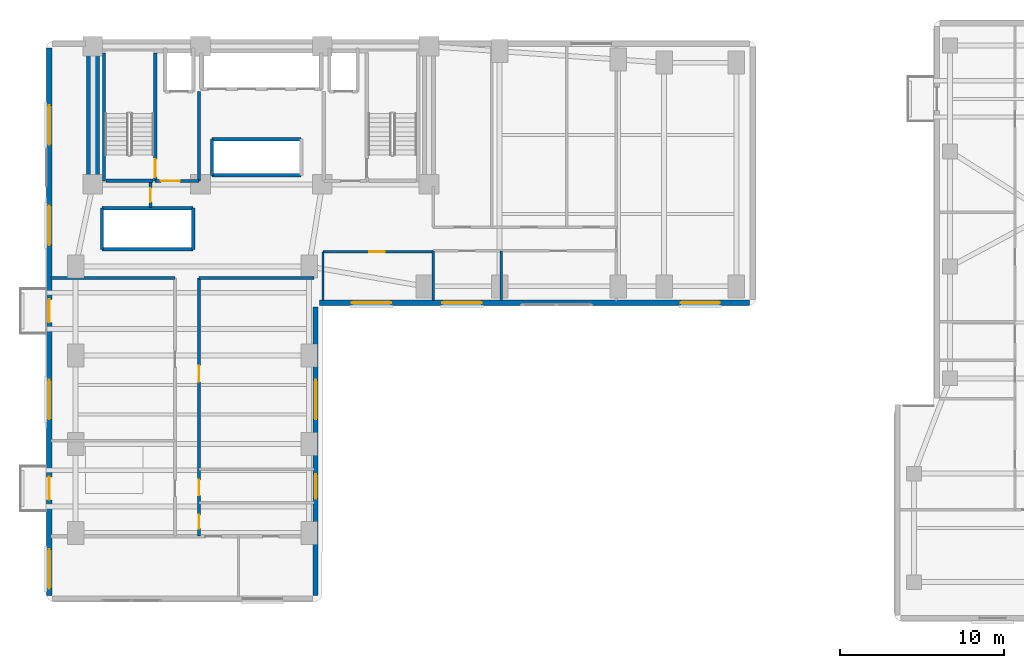
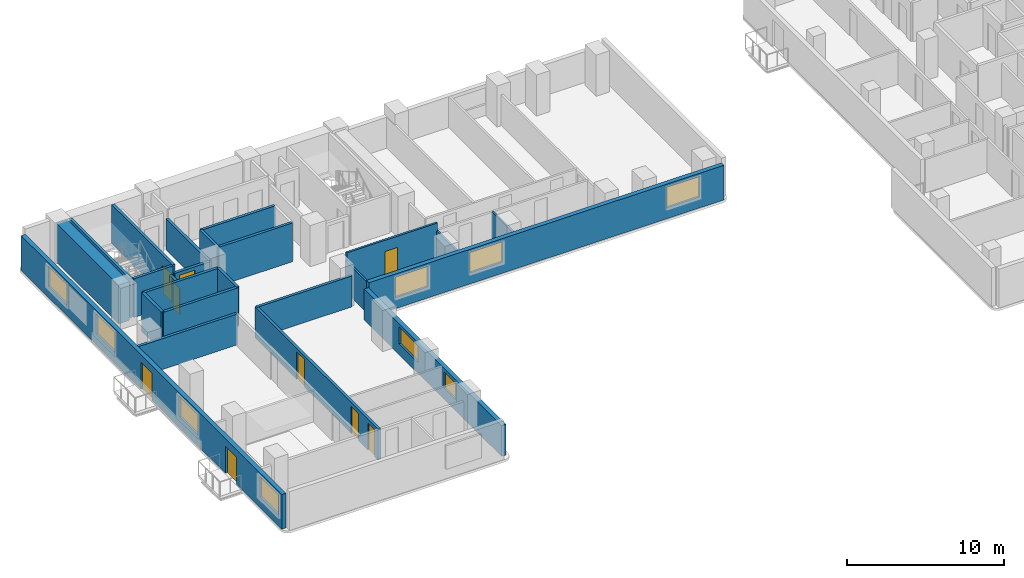
# One storey, part 9 of 16: 24 walls, 9 doors, 9 windows, 18 openings.
"""IFC4 building model written with IfcOpenShell, lengths in metres."""

from ifc_helpers import new_model, si_unit, direction, frame, frame_2d, origin, place, context, subcontext, project, spatial, rectangle, extrude, material, layer, layer_set, type_object, element, fill, save


model = new_model("IFC4")

# Units and contexts
model_context = context("Model", 3, precision=1e-05, world=origin(), true_north=direction((0.0, 1.0)))
body_context = subcontext(model_context, "Body", "Model", "MODEL_VIEW")
ifc_project = project(units=[si_unit("LENGTHUNIT", "METRE"), si_unit("AREAUNIT", "SQUARE_METRE"), si_unit("VOLUMEUNIT", "CUBIC_METRE"), si_unit("PLANEANGLEUNIT", "RADIAN"), si_unit("MASSUNIT", "GRAM", prefix="KILO")], contexts=[model_context])

# Site, building, storey
site_placement = place(None, origin())
site = spatial("IfcSite", under=ifc_project, at=site_placement, CompositionType="ELEMENT")
building_placement = place(site_placement, origin())
building = spatial("IfcBuilding", under=site, at=building_placement, Name="Kuzgunbayir Cultural Tower", CompositionType="ELEMENT")
storey_placement = place(building_placement, frame((0.0, 0.0, 66.0)))
storey = spatial("IfcBuildingStorey", under=building, at=storey_placement, Name="L18", CompositionType="ELEMENT", Elevation=66.0)

# Wall
ifc_material_1 = material(Name="Concrete C60/75", Category="concrete")
ifc_layer_1 = layer(ifc_material_1, 0.800048828125)
ifc_layer_set_1 = layer_set([ifc_layer_1], Name="Concrete C60/75")
wall_type_1 = type_object("IfcWallType", Name="WAL-CORE-800", PredefinedType="SHEAR", material=ifc_layer_set_1)
wall_1_placement = place(storey_placement, frame((6.449951171875, 33.800048828125, 0.0), z_axis=(0.0, 0.0, 1.0), x_axis=(0.0, 1.0, 0.0)))
element("IfcWall", 1, at=wall_1_placement, inside=storey, type_object=wall_type_1, Name="L18 T1 Core West Shear Wall", PredefinedType="SHEAR", context=body_context, shape_type="SweptSolid", body=[
    extrude(rectangle(XDim=7.949951171875, YDim=0.800048828125, at=frame_2d((3.97509765625, 0.0))), origin(), (0.0, 0.0, 1.0), 3.02001953125),
])

# Wall, openings, doors, windows
ifc_material_2 = material(Name="Travertine Buff Ashlar", Category="masonry")
ifc_layer_2 = layer(ifc_material_2, 0.320068359375)
ifc_layer_set_2 = layer_set([ifc_layer_2], Name="Travertine Buff Ashlar")
wall_type_2 = type_object("IfcWallType", Name="WAL-EXT-STONE-320", PredefinedType="STANDARD", material=ifc_layer_set_2)
wall_2_placement = place(storey_placement, frame((3.800048828125, 42.10009765625, 0.0), z_axis=(0.0, 0.0, 1.0), x_axis=(0.0, -1.0, 0.0)))
wall_2 = element("IfcWall", 2, at=wall_2_placement, inside=storey, type_object=wall_type_2, Name="L18 Wing A West Limestone Wall", PredefinedType="STANDARD", context=body_context, shape_type="SweptSolid", body=[
    extrude(rectangle(XDim=33.300048828125, YDim=0.320068359375, at=frame_2d((16.64990234375, 0.0))), origin(), (0.0, 0.0, 1.0), 2.699951171875),
])
opening_1_placement = place(wall_2_placement, frame((26.10009765625, 0.0, 0.0)))
opening_1 = element("IfcOpeningElement", 3, at=opening_1_placement, cuts=wall_2, Name="Opening BD-15", PredefinedType="OPENING", context=body_context, shape_type="SweptSolid", body=[
    extrude(rectangle(XDim=1.39990234375, YDim=2.10009765625, at=frame_2d((0.699951171875, 1.050048828125))), frame((0.0, 0.169921875, 0.0), z_axis=(0.0, -1.0, 0.0), x_axis=(1.0, 0.0, 0.0)), (0.0, 0.0, 1.0), 0.340087890625),
])
opening_2_placement = place(wall_2_placement, frame((15.300048828125, 0.0, 0.0)))
opening_2 = element("IfcOpeningElement", 4, at=opening_2_placement, cuts=wall_2, Name="Opening BD-15", PredefinedType="OPENING", context=body_context, shape_type="SweptSolid", body=[
    extrude(rectangle(XDim=1.39990234375, YDim=2.10009765625, at=frame_2d((0.699951171875, 1.050048828125))), frame((0.0, 0.169921875, 0.0), z_axis=(0.0, -1.0, 0.0), x_axis=(1.0, 0.0, 0.0)), (0.0, 0.0, 1.0), 0.340087890625),
])
opening_3_placement = place(wall_2_placement, frame((30.5, 0.0, 0.85009765625)))
opening_3 = element("IfcOpeningElement", 5, at=opening_3_placement, cuts=wall_2, Name="Opening WO-24", PredefinedType="OPENING", context=body_context, shape_type="SweptSolid", body=[
    extrude(rectangle(XDim=2.39990234375, YDim=1.60009765625, at=frame_2d((1.199951171875, 0.800048828125))), frame((0.0, 0.169921875, 0.0), z_axis=(0.0, -1.0, 0.0), x_axis=(1.0, 0.0, 0.0)), (0.0, 0.0, 1.0), 0.340087890625),
])
opening_4_placement = place(wall_2_placement, frame((20.199951171875, 0.0, 0.85009765625)))
opening_4 = element("IfcOpeningElement", 6, at=opening_4_placement, cuts=wall_2, Name="Opening WO-24", PredefinedType="OPENING", context=body_context, shape_type="SweptSolid", body=[
    extrude(rectangle(XDim=2.39990234375, YDim=1.60009765625, at=frame_2d((1.199951171875, 0.800048828125))), frame((0.0, 0.169921875, 0.0), z_axis=(0.0, -1.0, 0.0), x_axis=(1.0, 0.0, 0.0)), (0.0, 0.0, 1.0), 0.340087890625),
])
opening_5_placement = place(wall_2_placement, frame((9.60009765625, 0.0, 0.85009765625)))
opening_5 = element("IfcOpeningElement", 7, at=opening_5_placement, cuts=wall_2, Name="Opening WO-24", PredefinedType="OPENING", context=body_context, shape_type="SweptSolid", body=[
    extrude(rectangle(XDim=2.39990234375, YDim=1.60009765625, at=frame_2d((1.199951171875, 0.800048828125))), frame((0.0, 0.169921875, 0.0), z_axis=(0.0, -1.0, 0.0), x_axis=(1.0, 0.0, 0.0)), (0.0, 0.0, 1.0), 0.340087890625),
])
opening_6_placement = place(wall_2_placement, frame((3.5, 0.0, 0.85009765625)))
opening_6 = element("IfcOpeningElement", 8, at=opening_6_placement, cuts=wall_2, Name="Opening WO-24", PredefinedType="OPENING", context=body_context, shape_type="SweptSolid", body=[
    extrude(rectangle(XDim=2.39990234375, YDim=1.60009765625, at=frame_2d((1.199951171875, 0.800048828125))), frame((0.0, 0.169921875, 0.0), z_axis=(0.0, -1.0, 0.0), x_axis=(1.0, 0.0, 0.0)), (0.0, 0.0, 1.0), 0.340087890625),
])
ifc_material_3 = material(Name="Thermally Broken Glazed Aluminium", Category="aluminium")
door_type_1 = type_object("IfcDoorType", Name="DR-BALCONY-150", OperationType="SLIDING_TO_RIGHT", PredefinedType="DOOR", material=ifc_material_3)
door_1_placement = place(opening_1_placement, origin())
door_1 = element("IfcDoor", 9, at=door_1_placement, inside=storey, type_object=door_type_1, Name="L18 West Balcony Sliding Door BAL-L18-WA1", OperationType="SLIDING_TO_RIGHT", OverallHeight=2.10009765625, OverallWidth=1.39990234375, PredefinedType="DOOR", context=body_context, shape_type="SweptSolid", body=[
    extrude(rectangle(XDim=1.39990234375, YDim=2.10009765625, at=frame_2d((0.699951171875, 1.050048828125))), frame((0.0, 0.02490234375, 0.0), z_axis=(0.0, -1.0, 0.0), x_axis=(1.0, 0.0, 0.0)), (0.0, 0.0, 1.0), 0.050048828125),
])
fill(opening_1, door_1)
door_2_placement = place(opening_2_placement, origin())
door_2 = element("IfcDoor", 10, at=door_2_placement, inside=storey, type_object=door_type_1, Name="L18 West Balcony Sliding Door BAL-L18-WA3", OperationType="SLIDING_TO_RIGHT", OverallHeight=2.10009765625, OverallWidth=1.39990234375, PredefinedType="DOOR", context=body_context, shape_type="SweptSolid", body=[
    extrude(rectangle(XDim=1.39990234375, YDim=2.10009765625, at=frame_2d((0.699951171875, 1.050048828125))), frame((0.0, 0.02490234375, 0.0), z_axis=(0.0, -1.0, 0.0), x_axis=(1.0, 0.0, 0.0)), (0.0, 0.0, 1.0), 0.050048828125),
])
fill(opening_2, door_2)
ifc_material_4 = material(Name="Solar-Control Triple Glazing", Category="glass")
window_type_1 = type_object("IfcWindowType", Name="WIN-OFFICE-24", PartitioningType="SINGLE_PANEL", PredefinedType="WINDOW", material=ifc_material_4)
window_1_placement = place(opening_3_placement, origin())
window_1 = element("IfcWindow", 11, at=window_1_placement, inside=storey, type_object=window_type_1, Name="L18 WAW Facade Window 2", OverallHeight=1.60009765625, OverallWidth=2.39990234375, PartitioningType="SINGLE_PANEL", PredefinedType="WINDOW", context=body_context, shape_type="SweptSolid", body=[
    extrude(rectangle(XDim=2.39990234375, YDim=1.60009765625, at=frame_2d((1.199951171875, 0.800048828125))), frame((0.0, 0.030029296875, 0.0), z_axis=(0.0, -1.0, 0.0), x_axis=(1.0, 0.0, 0.0)), (0.0, 0.0, 1.0), 0.06005859375),
])
fill(opening_3, window_1)
window_2_placement = place(opening_4_placement, origin())
window_2 = element("IfcWindow", 12, at=window_2_placement, inside=storey, type_object=window_type_1, Name="L18 WAW Facade Window 3", OverallHeight=1.60009765625, OverallWidth=2.39990234375, PartitioningType="SINGLE_PANEL", PredefinedType="WINDOW", context=body_context, shape_type="SweptSolid", body=[
    extrude(rectangle(XDim=2.39990234375, YDim=1.60009765625, at=frame_2d((1.199951171875, 0.800048828125))), frame((0.0, 0.030029296875, 0.0), z_axis=(0.0, -1.0, 0.0), x_axis=(1.0, 0.0, 0.0)), (0.0, 0.0, 1.0), 0.06005859375),
])
fill(opening_4, window_2)
window_3_placement = place(opening_5_placement, origin())
window_3 = element("IfcWindow", 13, at=window_3_placement, inside=storey, type_object=window_type_1, Name="L18 WAW Facade Window 4", OverallHeight=1.60009765625, OverallWidth=2.39990234375, PartitioningType="SINGLE_PANEL", PredefinedType="WINDOW", context=body_context, shape_type="SweptSolid", body=[
    extrude(rectangle(XDim=2.39990234375, YDim=1.60009765625, at=frame_2d((1.199951171875, 0.800048828125))), frame((0.0, 0.030029296875, 0.0), z_axis=(0.0, -1.0, 0.0), x_axis=(1.0, 0.0, 0.0)), (0.0, 0.0, 1.0), 0.06005859375),
])
fill(opening_5, window_3)
window_4_placement = place(opening_6_placement, origin())
window_4 = element("IfcWindow", 14, at=window_4_placement, inside=storey, type_object=window_type_1, Name="L18 WAW Facade Window 5", OverallHeight=1.60009765625, OverallWidth=2.39990234375, PartitioningType="SINGLE_PANEL", PredefinedType="WINDOW", context=body_context, shape_type="SweptSolid", body=[
    extrude(rectangle(XDim=2.39990234375, YDim=1.60009765625, at=frame_2d((1.199951171875, 0.800048828125))), frame((0.0, 0.030029296875, 0.0), z_axis=(0.0, -1.0, 0.0), x_axis=(1.0, 0.0, 0.0)), (0.0, 0.0, 1.0), 0.06005859375),
])
fill(opening_6, window_4)

# Wall, openings, windows
wall_3_placement = place(storey_placement, frame((20.0, 8.800048828125, 0.0), z_axis=(0.0, 0.0, 1.0), x_axis=(0.0, 1.0, 0.0)))
wall_3 = element("IfcWall", 15, at=wall_3_placement, inside=storey, type_object=wall_type_2, Name="L18 Wing A East Limestone Wall", PredefinedType="STANDARD", context=body_context, shape_type="SweptSolid", body=[
    extrude(rectangle(XDim=17.550048828125, YDim=0.320068359375, at=frame_2d((8.77490234375, 0.0))), origin(), (0.0, 0.0, 1.0), 2.409912109375),
])
opening_7_placement = place(wall_3_placement, frame((5.8798828125, 0.0, 0.85009765625)))
opening_7 = element("IfcOpeningElement", 16, at=opening_7_placement, cuts=wall_3, Name="Opening WR-15", PredefinedType="OPENING", context=body_context, shape_type="SweptSolid", body=[
    extrude(rectangle(XDim=1.5, YDim=1.31005859375, at=frame_2d((0.75, 0.655029296875))), frame((0.0, 0.169921875, 0.0), z_axis=(0.0, -1.0, 0.0), x_axis=(1.0, 0.0, 0.0)), (0.0, 0.0, 1.0), 0.340087890625),
])
opening_8_placement = place(wall_3_placement, frame((10.699951171875, 0.0, 0.85009765625)))
opening_8 = element("IfcOpeningElement", 17, at=opening_8_placement, cuts=wall_3, Name="Opening WO-24", PredefinedType="OPENING", context=body_context, shape_type="SweptSolid", body=[
    extrude(rectangle(XDim=2.39990234375, YDim=1.31005859375, at=frame_2d((1.199951171875, 0.655029296875))), frame((0.0, 0.169921875, 0.0), z_axis=(0.0, -1.0, 0.0), x_axis=(1.0, 0.0, 0.0)), (0.0, 0.0, 1.0), 0.340087890625),
])
window_5_placement = place(opening_8_placement, origin())
window_5 = element("IfcWindow", 18, at=window_5_placement, inside=storey, type_object=window_type_1, Name="L18 WAE Facade Window 7", OverallHeight=1.31005859375, OverallWidth=2.39990234375, PartitioningType="SINGLE_PANEL", PredefinedType="WINDOW", context=body_context, shape_type="SweptSolid", body=[
    extrude(rectangle(XDim=2.39990234375, YDim=1.31005859375, at=frame_2d((1.199951171875, 0.655029296875))), frame((0.0, 0.030029296875, 0.0), z_axis=(0.0, -1.0, 0.0), x_axis=(1.0, 0.0, 0.0)), (0.0, 0.0, 1.0), 0.06005859375),
])
fill(opening_8, window_5)
window_type_2 = type_object("IfcWindowType", Name="WIN-RESID-15", PartitioningType="SINGLE_PANEL", PredefinedType="WINDOW", material=ifc_material_4)
window_6_placement = place(opening_7_placement, origin())
window_6 = element("IfcWindow", 19, at=window_6_placement, inside=storey, type_object=window_type_2, Name="L18 WAE Facade Window 6", OverallHeight=1.31005859375, OverallWidth=1.5, PartitioningType="SINGLE_PANEL", PredefinedType="WINDOW", context=body_context, shape_type="SweptSolid", body=[
    extrude(rectangle(XDim=1.5, YDim=1.31005859375, at=frame_2d((0.75, 0.655029296875))), frame((0.0, 0.030029296875, 0.0), z_axis=(0.0, -1.0, 0.0), x_axis=(1.0, 0.0, 0.0)), (0.0, 0.0, 1.0), 0.06005859375),
])
fill(opening_7, window_6)

wall_4_placement = place(storey_placement, frame((20.25, 26.60009765625, 0.0), z_axis=(0.0, 0.0, 1.0), x_axis=(1.0, 0.0, 0.0)))
wall_4 = element("IfcWall", 20, at=wall_4_placement, inside=storey, type_object=wall_type_2, Name="L18 Wing B South Limestone Wall", PredefinedType="STANDARD", context=body_context, shape_type="SweptSolid", body=[
    extrude(rectangle(XDim=26.14990234375, YDim=0.320068359375, at=frame_2d((13.074951171875, 0.0))), origin(), (0.0, 0.0, 1.0), 2.699951171875),
])
opening_9_placement = place(wall_4_placement, frame((1.949951171875, 0.0, 0.85009765625)))
opening_9 = element("IfcOpeningElement", 21, at=opening_9_placement, cuts=wall_4, Name="Opening WO-24", PredefinedType="OPENING", context=body_context, shape_type="SweptSolid", body=[
    extrude(rectangle(XDim=2.39990234375, YDim=1.60009765625, at=frame_2d((1.199951171875, 0.800048828125))), frame((0.0, 0.169921875, 0.0), z_axis=(0.0, -1.0, 0.0), x_axis=(1.0, 0.0, 0.0)), (0.0, 0.0, 1.0), 0.340087890625),
])
opening_10_placement = place(wall_4_placement, frame((7.449951171875, 0.0, 0.85009765625)))
opening_10 = element("IfcOpeningElement", 22, at=opening_10_placement, cuts=wall_4, Name="Opening WO-24", PredefinedType="OPENING", context=body_context, shape_type="SweptSolid", body=[
    extrude(rectangle(XDim=2.39990234375, YDim=1.60009765625, at=frame_2d((1.199951171875, 0.800048828125))), frame((0.0, 0.169921875, 0.0), z_axis=(0.0, -1.0, 0.0), x_axis=(1.0, 0.0, 0.0)), (0.0, 0.0, 1.0), 0.340087890625),
])
opening_11_placement = place(wall_4_placement, frame((21.949951171875, 0.0, 0.85009765625)))
opening_11 = element("IfcOpeningElement", 23, at=opening_11_placement, cuts=wall_4, Name="Opening WO-24", PredefinedType="OPENING", context=body_context, shape_type="SweptSolid", body=[
    extrude(rectangle(XDim=2.39990234375, YDim=1.60009765625, at=frame_2d((1.199951171875, 0.800048828125))), frame((0.0, 0.169921875, 0.0), z_axis=(0.0, -1.0, 0.0), x_axis=(1.0, 0.0, 0.0)), (0.0, 0.0, 1.0), 0.340087890625),
])
window_7_placement = place(opening_9_placement, origin())
window_7 = element("IfcWindow", 24, at=window_7_placement, inside=storey, type_object=window_type_1, Name="L18 WBS Facade Window 9", OverallHeight=1.60009765625, OverallWidth=2.39990234375, PartitioningType="SINGLE_PANEL", PredefinedType="WINDOW", context=body_context, shape_type="SweptSolid", body=[
    extrude(rectangle(XDim=2.39990234375, YDim=1.60009765625, at=frame_2d((1.199951171875, 0.800048828125))), frame((0.0, 0.030029296875, 0.0), z_axis=(0.0, -1.0, 0.0), x_axis=(1.0, 0.0, 0.0)), (0.0, 0.0, 1.0), 0.06005859375),
])
fill(opening_9, window_7)
window_8_placement = place(opening_10_placement, origin())
window_8 = element("IfcWindow", 25, at=window_8_placement, inside=storey, type_object=window_type_1, Name="L18 WBS Facade Window 10", OverallHeight=1.60009765625, OverallWidth=2.39990234375, PartitioningType="SINGLE_PANEL", PredefinedType="WINDOW", context=body_context, shape_type="SweptSolid", body=[
    extrude(rectangle(XDim=2.39990234375, YDim=1.60009765625, at=frame_2d((1.199951171875, 0.800048828125))), frame((0.0, 0.030029296875, 0.0), z_axis=(0.0, -1.0, 0.0), x_axis=(1.0, 0.0, 0.0)), (0.0, 0.0, 1.0), 0.06005859375),
])
fill(opening_10, window_8)
window_9_placement = place(opening_11_placement, origin())
window_9 = element("IfcWindow", 26, at=window_9_placement, inside=storey, type_object=window_type_1, Name="L18 WBS Facade Window 11", OverallHeight=1.60009765625, OverallWidth=2.39990234375, PartitioningType="SINGLE_PANEL", PredefinedType="WINDOW", context=body_context, shape_type="SweptSolid", body=[
    extrude(rectangle(XDim=2.39990234375, YDim=1.60009765625, at=frame_2d((1.199951171875, 0.800048828125))), frame((0.0, 0.030029296875, 0.0), z_axis=(0.0, -1.0, 0.0), x_axis=(1.0, 0.0, 0.0)), (0.0, 0.0, 1.0), 0.06005859375),
])
fill(opening_11, window_9)

# Wall, opening, door
ifc_material_5 = material(Name="Acoustic Double-Stud Drywall", Category="gypsum")
ifc_layer_3 = layer(ifc_material_5, 0.14990234375)
ifc_layer_set_3 = layer_set([ifc_layer_3], Name="Acoustic Double-Stud Drywall")
wall_type_3 = type_object("IfcWallType", Name="WAL-PART-ACOUSTIC-150", PredefinedType="PARTITIONING", material=ifc_layer_set_3)
wall_5_placement = place(storey_placement, frame((20.449951171875, 29.699951171875, 0.0), z_axis=(0.0, 0.0, 1.0), x_axis=(1.0, 0.0, 0.0)))
wall_5 = element("IfcWall", 27, at=wall_5_placement, inside=storey, type_object=wall_type_3, Name="L18 Waist Alcove North Wall", PredefinedType="PARTITIONING", context=body_context, shape_type="SweptSolid", body=[
    extrude(rectangle(XDim=6.699951171875, YDim=0.14990234375, at=frame_2d((3.35009765625, 0.0))), origin(), (0.0, 0.0, 1.0), 3.02001953125),
])
opening_12_placement = place(wall_5_placement, frame((2.800048828125, 0.0, 0.0)))
opening_12 = element("IfcOpeningElement", 28, at=opening_12_placement, cuts=wall_5, Name="Opening DI-90", PredefinedType="OPENING", context=body_context, shape_type="SweptSolid", body=[
    extrude(rectangle(XDim=0.949951171875, YDim=2.14990234375, at=frame_2d((0.47509765625, 1.074951171875))), frame((0.0, 0.0849609375, 0.0), z_axis=(0.0, -1.0, 0.0), x_axis=(1.0, 0.0, 0.0)), (0.0, 0.0, 1.0), 0.169921875),
])
ifc_material_6 = material(Name="Veneered Oak Single Leaf", Category="wood")
door_type_2 = type_object("IfcDoorType", Name="DR-INT-90", OperationType="NOTDEFINED", PredefinedType="DOOR", material=ifc_material_6)
door_3_placement = place(opening_12_placement, origin())
door_3 = element("IfcDoor", 29, at=door_3_placement, inside=storey, type_object=door_type_2, Name="L18 Waist Alcove Door", OperationType="SINGLE_SWING_LEFT", OverallHeight=2.14990234375, OverallWidth=0.949951171875, PredefinedType="DOOR", context=body_context, shape_type="SweptSolid", body=[
    extrude(rectangle(XDim=0.949951171875, YDim=2.14990234375, at=frame_2d((0.47509765625, 1.074951171875))), frame((0.0, 0.02490234375, 0.0), z_axis=(0.0, -1.0, 0.0), x_axis=(1.0, 0.0, 0.0)), (0.0, 0.0, 1.0), 0.050048828125),
])
fill(opening_12, door_3)

# Walls
wall_6_placement = place(storey_placement, frame((20.449951171875, 26.75, 0.0), z_axis=(0.0, 0.0, 1.0), x_axis=(0.0, 1.0, 0.0)))
element("IfcWall", 30, at=wall_6_placement, inside=storey, type_object=wall_type_3, Name="L18 Waist Alcove West Wall", PredefinedType="PARTITIONING", context=body_context, shape_type="SweptSolid", body=[
    extrude(rectangle(XDim=2.949951171875, YDim=0.14990234375, at=frame_2d((1.47509765625, 0.0))), origin(), (0.0, 0.0, 1.0), 2.409912109375),
])
for number, where, z_axis, x_axis, name in (
    (31, (27.14990234375, 26.75, 0.0), (0.0, 0.0, 1.0), (0.0, 1.0, 0.0), "L18 Waist Alcove East Wall"),
    (32, (31.280029296875, 26.75, 0.0), (0.0, 0.0, 1.0), (0.0, 1.0, 0.0), "L18 Wing B South Partition 1"),
):
    element("IfcWall", number, at=place(storey_placement, frame(where, z_axis=z_axis, x_axis=x_axis)), inside=storey, type_object=wall_type_3, Name=name, PredefinedType="PARTITIONING", context=body_context, shape_type="SweptSolid", body=[
        extrude(rectangle(XDim=3.0, YDim=0.14990234375, at=frame_2d((1.5, 0.0))), origin(), (0.0, 0.0, 1.0), 2.409912109375),
    ])
ifc_material_7 = material(Name="Aerated Concrete Blockwork", Category="masonry")
ifc_layer_4 = layer(ifc_material_7, 0.199951171875)
ifc_layer_set_4 = layer_set([ifc_layer_4], Name="Aerated Concrete Blockwork")
wall_type_4 = type_object("IfcWallType", Name="WAL-PART-FIRE-200", PredefinedType="PARTITIONING", material=ifc_layer_set_4)
wall_7_placement = place(storey_placement, frame((12.89990234375, 34.0, 0.0), z_axis=(0.0, 0.0, 1.0), x_axis=(0.0, 1.0, 0.0)))
element("IfcWall", 33, at=wall_7_placement, inside=storey, type_object=wall_type_4, Name="L18 FFL-1 Lobby East Fire Wall", PredefinedType="PARTITIONING", context=body_context, shape_type="SweptSolid", body=[
    extrude(rectangle(XDim=5.449951171875, YDim=0.199951171875, at=frame_2d((2.72509765625, 0.0))), origin(), (0.0, 0.0, 1.0), 2.409912109375),
])

# Wall, opening, door
wall_8_placement = place(storey_placement, frame((10.239990234375, 34.0, 0.0), z_axis=(0.0, 0.0, 1.0), x_axis=(1.0, 0.0, 0.0)))
wall_8 = element("IfcWall", 34, at=wall_8_placement, inside=storey, type_object=wall_type_4, Name="L18 FFL-1 Lobby South Fire Wall", PredefinedType="PARTITIONING", context=body_context, shape_type="SweptSolid", body=[
    extrude(rectangle(XDim=2.659912109375, YDim=0.199951171875, at=frame_2d((1.330078125, 0.0))), origin(), (0.0, 0.0, 1.0), 2.409912109375),
])
opening_13_placement = place(wall_8_placement, frame((0.35009765625, 0.0, 0.0)))
opening_13 = element("IfcOpeningElement", 35, at=opening_13_placement, cuts=wall_8, Name="Opening DR-FFL-90", PredefinedType="OPENING", context=body_context, shape_type="SweptSolid", body=[
    extrude(rectangle(XDim=1.14990234375, YDim=2.14990234375, at=frame_2d((0.574951171875, 1.074951171875))), frame((0.0, 0.10986328125, 0.0), z_axis=(0.0, -1.0, 0.0), x_axis=(1.0, 0.0, 0.0)), (0.0, 0.0, 1.0), 0.219970703125),
])
ifc_material_8 = material(Name="Steel S355J2", Category="steel")
door_type_3 = type_object("IfcDoorType", Name="DR-FFL-90", OperationType="NOTDEFINED", PredefinedType="DOOR", material=ifc_material_8)
door_4_placement = place(opening_13_placement, origin())
door_4 = element("IfcDoor", 36, at=door_4_placement, inside=storey, type_object=door_type_3, Name="L18 Firefighting Lobby 1 Door", OperationType="SINGLE_SWING_LEFT", OverallHeight=2.14990234375, OverallWidth=1.14990234375, PredefinedType="DOOR", context=body_context, shape_type="SweptSolid", body=[
    extrude(rectangle(XDim=1.14990234375, YDim=2.14990234375, at=frame_2d((0.574951171875, 1.074951171875))), frame((0.0, 0.02490234375, 0.0), z_axis=(0.0, -1.0, 0.0), x_axis=(1.0, 0.0, 0.0)), (0.0, 0.0, 1.0), 0.050048828125),
])
fill(opening_13, door_4)

wall_9_placement = place(storey_placement, frame((9.949951171875, 32.39990234375, 0.0), z_axis=(0.0, 0.0, 1.0), x_axis=(0.0, 1.0, 0.0)))
wall_9 = element("IfcWall", 37, at=wall_9_placement, inside=storey, type_object=wall_type_4, Name="L18 West Core Service Closet Wall", PredefinedType="PARTITIONING", context=body_context, shape_type="SweptSolid", body=[
    extrude(rectangle(XDim=1.52001953125, YDim=0.199951171875, at=frame_2d((0.760009765625, 0.0))), origin(), (0.0, 0.0, 1.0), 2.409912109375),
])
opening_14_placement = place(wall_9_placement, frame((0.320068359375, 0.0, 0.0)))
opening_14 = element("IfcOpeningElement", 38, at=opening_14_placement, cuts=wall_9, Name="Opening DR-RSR-60", PredefinedType="OPENING", context=body_context, shape_type="SweptSolid", body=[
    extrude(rectangle(XDim=0.85009765625, YDim=2.050048828125, at=frame_2d((0.425048828125, 1.02490234375))), frame((0.0, 0.10986328125, 0.0), z_axis=(0.0, -1.0, 0.0), x_axis=(1.0, 0.0, 0.0)), (0.0, 0.0, 1.0), 0.219970703125),
])
ifc_material_9 = material(Name="Steel Access Leaf", Category="steel")
door_type_4 = type_object("IfcDoorType", Name="DR-RISER-60", OperationType="NOTDEFINED", PredefinedType="DOOR", material=ifc_material_9)
door_5_placement = place(opening_14_placement, origin())
door_5 = element("IfcDoor", 39, at=door_5_placement, inside=storey, type_object=door_type_4, Name="L18 Cleaner Utility Store Door", OperationType="SINGLE_SWING_LEFT", OverallHeight=2.050048828125, OverallWidth=0.85009765625, PredefinedType="DOOR", context=body_context, shape_type="SweptSolid", body=[
    extrude(rectangle(XDim=0.85009765625, YDim=2.050048828125, at=frame_2d((0.425048828125, 1.02490234375))), frame((0.0, 0.02490234375, 0.0), z_axis=(0.0, -1.0, 0.0), x_axis=(1.0, 0.0, 0.0)), (0.0, 0.0, 1.0), 0.050048828125),
])
fill(opening_14, door_5)

# Wall, openings, doors
wall_10_placement = place(storey_placement, frame((12.909912109375, 12.39990234375, 0.0), z_axis=(0.0, 0.0, 1.0), x_axis=(0.0, 1.0, 0.0)))
wall_10 = element("IfcWall", 40, at=wall_10_placement, inside=storey, type_object=wall_type_4, Name="L18 Wing A East Corridor Wall", PredefinedType="PARTITIONING", context=body_context, shape_type="SweptSolid", body=[
    extrude(rectangle(XDim=15.7001953125, YDim=0.199951171875, at=frame_2d((7.85009765625, 0.0))), origin(), (0.0, 0.0, 1.0), 2.409912109375),
])
opening_15_placement = place(wall_10_placement, frame((0.449951171875, 0.0, 0.0)))
opening_15 = element("IfcOpeningElement", 41, at=opening_15_placement, cuts=wall_10, Name="Opening DW-85", PredefinedType="OPENING", context=body_context, shape_type="SweptSolid", body=[
    extrude(rectangle(XDim=0.85009765625, YDim=2.10009765625, at=frame_2d((0.425048828125, 1.050048828125))), frame((0.0, 0.10986328125, 0.0), z_axis=(0.0, -1.0, 0.0), x_axis=(1.0, 0.0, 0.0)), (0.0, 0.0, 1.0), 0.219970703125),
])
opening_16_placement = place(wall_10_placement, frame((2.47998046875, 0.0, 0.0)))
opening_16 = element("IfcOpeningElement", 42, at=opening_16_placement, cuts=wall_10, Name="Opening DW-95", PredefinedType="OPENING", context=body_context, shape_type="SweptSolid", body=[
    extrude(rectangle(XDim=0.949951171875, YDim=2.10009765625, at=frame_2d((0.47509765625, 1.050048828125))), frame((0.0, 0.10986328125, 0.0), z_axis=(0.0, -1.0, 0.0), x_axis=(1.0, 0.0, 0.0)), (0.0, 0.0, 1.0), 0.219970703125),
])
opening_17_placement = place(wall_10_placement, frame((9.3798828125, 0.0, 0.0)))
opening_17 = element("IfcOpeningElement", 43, at=opening_17_placement, cuts=wall_10, Name="Opening DI-100", PredefinedType="OPENING", context=body_context, shape_type="SweptSolid", body=[
    extrude(rectangle(XDim=1.0, YDim=2.14990234375, at=frame_2d((0.5, 1.074951171875))), frame((0.0, 0.10986328125, 0.0), z_axis=(0.0, -1.0, 0.0), x_axis=(1.0, 0.0, 0.0)), (0.0, 0.0, 1.0), 0.219970703125),
])
door_type_5 = type_object("IfcDoorType", Name="DR-INT-100", OperationType="NOTDEFINED", PredefinedType="DOOR", material=ifc_material_6)
door_6_placement = place(opening_17_placement, origin())
door_6 = element("IfcDoor", 44, at=door_6_placement, inside=storey, type_object=door_type_5, Name="L18 East Seminar Boardroom 1 Door", OperationType="SINGLE_SWING_RIGHT", OverallHeight=2.14990234375, OverallWidth=1.0, PredefinedType="DOOR", context=body_context, shape_type="SweptSolid", body=[
    extrude(rectangle(XDim=1.0, YDim=2.14990234375, at=frame_2d((0.5, 1.074951171875))), frame((0.0, 0.02490234375, 0.0), z_axis=(0.0, -1.0, 0.0), x_axis=(1.0, 0.0, 0.0)), (0.0, 0.0, 1.0), 0.050048828125),
])
fill(opening_17, door_6)
ifc_material_10 = material(Name="Laminate Moisture-Resistant Leaf", Category="wood")
door_type_6 = type_object("IfcDoorType", Name="DR-WET-85", OperationType="NOTDEFINED", PredefinedType="DOOR", material=ifc_material_10)
door_7_placement = place(opening_15_placement, origin())
door_7 = element("IfcDoor", 45, at=door_7_placement, inside=storey, type_object=door_type_6, Name="L18 Restroom Door", OperationType="SINGLE_SWING_RIGHT", OverallHeight=2.10009765625, OverallWidth=0.85009765625, PredefinedType="DOOR", context=body_context, shape_type="SweptSolid", body=[
    extrude(rectangle(XDim=0.85009765625, YDim=2.10009765625, at=frame_2d((0.425048828125, 1.050048828125))), frame((0.0, 0.02490234375, 0.0), z_axis=(0.0, -1.0, 0.0), x_axis=(1.0, 0.0, 0.0)), (0.0, 0.0, 1.0), 0.050048828125),
])
fill(opening_15, door_7)
door_type_7 = type_object("IfcDoorType", Name="DR-WET-95", OperationType="NOTDEFINED", PredefinedType="DOOR", material=ifc_material_10)
door_8_placement = place(opening_16_placement, origin())
door_8 = element("IfcDoor", 46, at=door_8_placement, inside=storey, type_object=door_type_7, Name="L18 Accessible WC Door", OperationType="SINGLE_SWING_LEFT", OverallHeight=2.10009765625, OverallWidth=0.949951171875, PredefinedType="DOOR", context=body_context, shape_type="SweptSolid", body=[
    extrude(rectangle(XDim=0.949951171875, YDim=2.10009765625, at=frame_2d((0.47509765625, 1.050048828125))), frame((0.0, 0.02490234375, 0.0), z_axis=(0.0, -1.0, 0.0), x_axis=(1.0, 0.0, 0.0)), (0.0, 0.0, 1.0), 0.050048828125),
])
fill(opening_16, door_8)

# Walls
wall_11_placement = place(storey_placement, frame((3.89990234375, 28.10009765625, 0.0), z_axis=(0.0, 0.0, 1.0), x_axis=(1.0, 0.0, 0.0)))
element("IfcWall", 47, at=wall_11_placement, inside=storey, type_object=wall_type_4, Name="L18 North West Partition", PredefinedType="PARTITIONING", context=body_context, shape_type="SweptSolid", body=[
    extrude(rectangle(XDim=7.550048828125, YDim=0.199951171875, at=frame_2d((3.77490234375, 0.0))), origin(), (0.0, 0.0, 1.0), 2.409912109375),
])
wall_12_placement = place(storey_placement, frame((12.909912109375, 28.10009765625, 0.0), z_axis=(0.0, 0.0, 1.0), x_axis=(1.0, 0.0, 0.0)))
element("IfcWall", 48, at=wall_12_placement, inside=storey, type_object=wall_type_4, Name="L18 North East Partition", PredefinedType="PARTITIONING", context=body_context, shape_type="SweptSolid", body=[
    extrude(rectangle(XDim=6.989990234375, YDim=0.199951171875, at=frame_2d((3.4951171875, 0.0))), origin(), (0.0, 0.0, 1.0), 2.409912109375),
])
ifc_material_11 = material(Name="Concrete C40/50", Category="concrete")
ifc_layer_5 = layer(ifc_material_11, 0.199951171875)
ifc_layer_set_5 = layer_set([ifc_layer_5], Name="Concrete C40/50")
wall_type_5 = type_object("IfcWallType", Name="WAL-SHAFT-200", PredefinedType="MOVABLE", material=ifc_layer_set_5)
for number, where, z_axis, x_axis, name in (
    (49, (7.0, 29.85009765625, 0.0), (0.0, 0.0, 1.0), (1.0, 0.0, 0.0), "L18 High-Rise Lift Shaft South Wall"),
    (50, (7.0, 32.35009765625, 0.0), (0.0, 0.0, 1.0), (1.0, 0.0, 0.0), "L18 High-Rise Lift Shaft North Wall"),
):
    element("IfcWall", number, at=place(storey_placement, frame(where, z_axis=z_axis, x_axis=x_axis)), inside=storey, type_object=wall_type_5, Name=name, PredefinedType="MOVABLE", context=body_context, shape_type="SweptSolid", body=[
        extrude(rectangle(XDim=5.550048828125, YDim=0.199951171875, at=frame_2d((2.77490234375, 0.0))), origin(), (0.0, 0.0, 1.0), 3.02001953125),
    ])
for number, where, z_axis, x_axis, name in (
    (51, (7.0, 29.85009765625, 0.0), (0.0, 0.0, 1.0), (0.0, 1.0, 0.0), "L18 High-Rise Lift Shaft West Wall"),
    (52, (12.550048828125, 29.85009765625, 0.0), (0.0, 0.0, 1.0), (0.0, 1.0, 0.0), "L18 High-Rise Lift Shaft East Wall"),
):
    element("IfcWall", number, at=place(storey_placement, frame(where, z_axis=z_axis, x_axis=x_axis)), inside=storey, type_object=wall_type_5, Name=name, PredefinedType="MOVABLE", context=body_context, shape_type="SweptSolid", body=[
        extrude(rectangle(XDim=2.5, YDim=0.199951171875, at=frame_2d((1.25, 0.0))), origin(), (0.0, 0.0, 1.0), 3.02001953125),
    ])
for number, where, z_axis, x_axis, name in (
    (53, (13.699951171875, 34.35009765625, 0.0), (0.0, 0.0, 1.0), (1.0, 0.0, 0.0), "L18 Mid-Rise Lift Front Wall"),
    (54, (13.699951171875, 36.550048828125, 0.0), (0.0, 0.0, 1.0), (1.0, 0.0, 0.0), "L18 Mid-Rise Lift Shaft North Wall"),
):
    element("IfcWall", number, at=place(storey_placement, frame(where, z_axis=z_axis, x_axis=x_axis)), inside=storey, type_object=wall_type_5, Name=name, PredefinedType="MOVABLE", context=body_context, shape_type="SweptSolid", body=[
        extrude(rectangle(XDim=5.420166015625, YDim=0.199951171875, at=frame_2d((2.7099609375, 0.0))), origin(), (0.0, 0.0, 1.0), 3.02001953125),
    ])
wall_13_placement = place(storey_placement, frame((13.699951171875, 34.35009765625, 0.0), z_axis=(0.0, 0.0, 1.0), x_axis=(0.0, 1.0, 0.0)))
element("IfcWall", 55, at=wall_13_placement, inside=storey, type_object=wall_type_5, Name="L18 Mid-Rise Lift Shaft West Wall", PredefinedType="MOVABLE", context=body_context, shape_type="SweptSolid", body=[
    extrude(rectangle(XDim=2.199951171875, YDim=0.199951171875, at=frame_2d((1.10009765625, 0.0))), origin(), (0.0, 0.0, 1.0), 3.02001953125),
])
ifc_layer_6 = layer(ifc_material_11, 0.199951171875)
ifc_layer_set_6 = layer_set([ifc_layer_6], Name="Concrete C40/50")
wall_type_6 = type_object("IfcWallType", Name="WAL-STAIR-RC-200", PredefinedType="SHEAR", material=ifc_layer_set_6)
wall_14_placement = place(storey_placement, frame((7.1201171875, 34.02001953125, 0.0), z_axis=(0.0, 0.0, 1.0), x_axis=(0.0, 1.0, 0.0)))
element("IfcWall", 56, at=wall_14_placement, inside=storey, type_object=wall_type_6, Name="L18 Stair ST-1 West Structural Wall", PredefinedType="SHEAR", context=body_context, shape_type="SweptSolid", body=[
    extrude(rectangle(XDim=7.780029296875, YDim=0.199951171875, at=frame_2d((3.89013671875, 0.0))), origin(), (0.0, 0.0, 1.0), 3.02001953125),
])

# Wall, opening, door
wall_15_placement = place(storey_placement, frame((10.239990234375, 34.02001953125, 0.0), z_axis=(0.0, 0.0, 1.0), x_axis=(0.0, 1.0, 0.0)))
wall_15 = element("IfcWall", 57, at=wall_15_placement, inside=storey, type_object=wall_type_6, Name="L18 Stair ST-1 East Structural Wall", PredefinedType="SHEAR", context=body_context, shape_type="SweptSolid", body=[
    extrude(rectangle(XDim=7.780029296875, YDim=0.199951171875, at=frame_2d((3.89013671875, 0.0))), origin(), (0.0, 0.0, 1.0), 3.02001953125),
])
opening_18_placement = place(wall_15_placement, frame((0.219970703125, 0.0, 0.0)))
opening_18 = element("IfcOpeningElement", 58, at=opening_18_placement, cuts=wall_15, Name="Opening DR-STAIR-90", PredefinedType="OPENING", context=body_context, shape_type="SweptSolid", body=[
    extrude(rectangle(XDim=1.10009765625, YDim=2.14990234375, at=frame_2d((0.550048828125, 1.074951171875))), frame((0.0, 0.10986328125, 0.0), z_axis=(0.0, -1.0, 0.0), x_axis=(1.0, 0.0, 0.0)), (0.0, 0.0, 1.0), 0.219970703125),
])
door_type_8 = type_object("IfcDoorType", Name="DR-STAIR-90", OperationType="NOTDEFINED", PredefinedType="DOOR", material=ifc_material_8)
door_9_placement = place(opening_18_placement, origin())
door_9 = element("IfcDoor", 59, at=door_9_placement, inside=storey, type_object=door_type_8, Name="L18 Stair ST-1 Fire Door", OperationType="SINGLE_SWING_RIGHT", OverallHeight=2.14990234375, OverallWidth=1.10009765625, PredefinedType="DOOR", context=body_context, shape_type="SweptSolid", body=[
    extrude(rectangle(XDim=1.10009765625, YDim=2.14990234375, at=frame_2d((0.550048828125, 1.074951171875))), frame((0.0, 0.02490234375, 0.0), z_axis=(0.0, -1.0, 0.0), x_axis=(1.0, 0.0, 0.0)), (0.0, 0.0, 1.0), 0.050048828125),
])
fill(opening_18, door_9)

# Wall
wall_16_placement = place(storey_placement, frame((7.239990234375, 34.02001953125, 0.0), z_axis=(0.0, 0.0, 1.0), x_axis=(1.0, 0.0, 0.0)))
element("IfcWall", 60, at=wall_16_placement, inside=storey, type_object=wall_type_6, Name="L18 Stair ST-1 South Structural Wall", PredefinedType="SHEAR", context=body_context, shape_type="SweptSolid", body=[
    extrude(rectangle(XDim=2.880126953125, YDim=0.199951171875, at=frame_2d((1.43994140625, 0.0))), origin(), (0.0, 0.0, 1.0), 3.02001953125),
])

save(model, "model.ifc")
